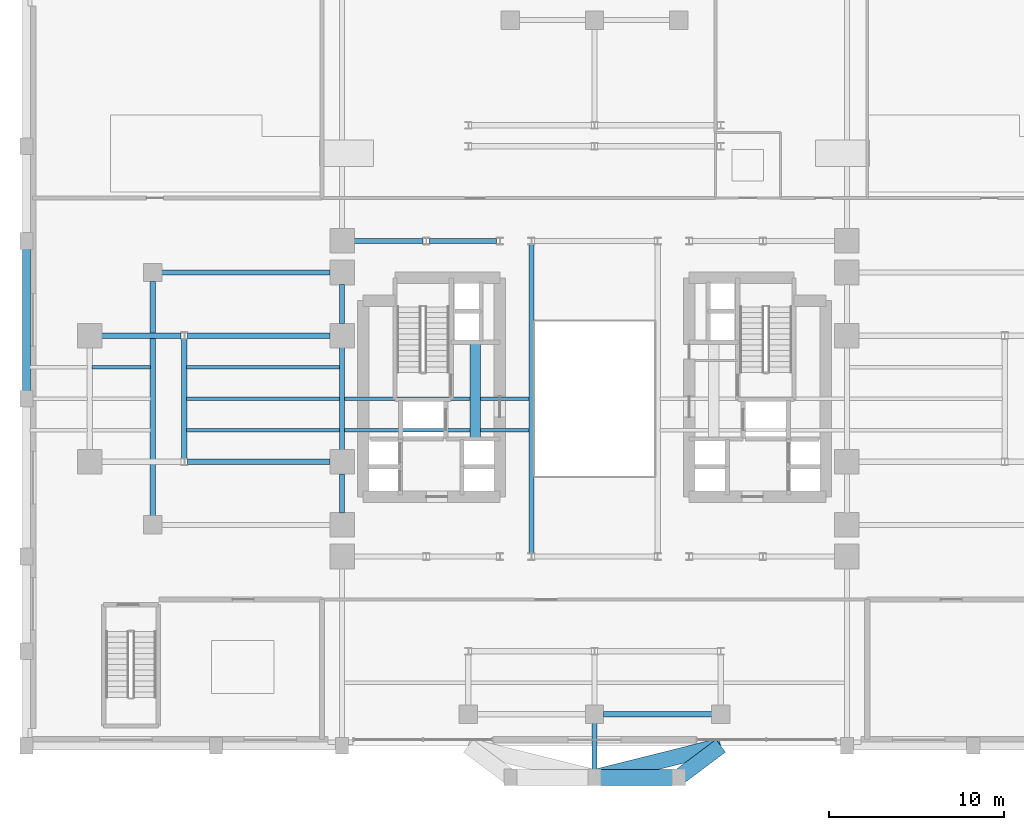
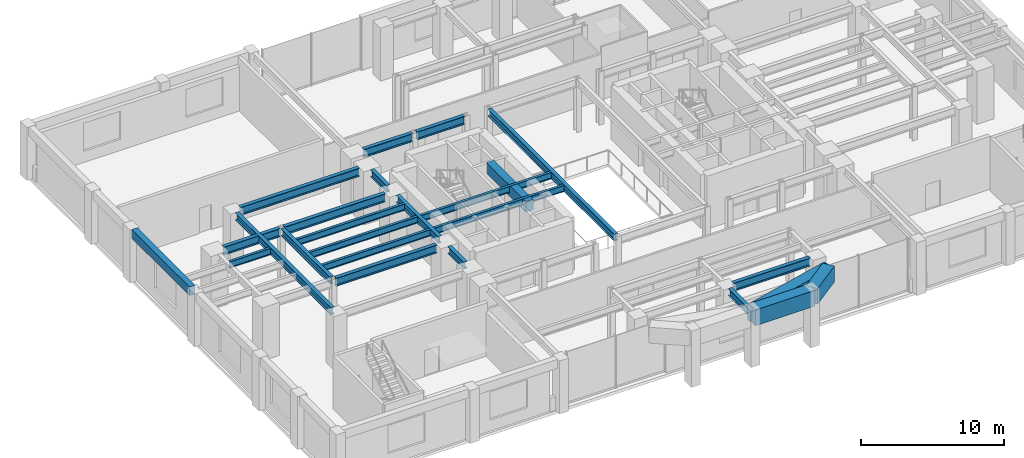
# One storey, part 5 of 14: 25 beams.
"""IFC4 building model written with IfcOpenShell, lengths in metres."""

from ifc_helpers import new_model, si_unit, direction, frame, origin, origin_2d, place, context, subcontext, project, spatial, rectangle, i_section, extrude, source, transform, mapped, material, material_profile, profile_set, type_object, element, save


model = new_model("IFC4")

# Units and contexts
model_context = context("Model", 3, precision=1e-05, world=origin(), true_north=direction((0.0, 1.0)))
body_context = subcontext(model_context, "Body", "Model", "MODEL_VIEW")
ifc_project = project(units=[si_unit("LENGTHUNIT", "METRE"), si_unit("AREAUNIT", "SQUARE_METRE"), si_unit("VOLUMEUNIT", "CUBIC_METRE"), si_unit("PLANEANGLEUNIT", "RADIAN"), si_unit("MASSUNIT", "GRAM", prefix="KILO")], contexts=[model_context])

# Site, building, storey
site_placement = place(None, origin())
site = spatial("IfcSite", under=ifc_project, at=site_placement, CompositionType="ELEMENT")
building_placement = place(site_placement, origin())
building = spatial("IfcBuilding", under=site, at=building_placement, Name="Keilestroom Media Tower", CompositionType="ELEMENT")
storey_placement = place(building_placement, frame((0.0, 0.0, 5.39990234375)))
storey = spatial("IfcBuildingStorey", under=building, at=storey_placement, Name="L01", CompositionType="ELEMENT", Elevation=5.39990234375)

# Beams
ifc_material_1 = material(Name="Concrete C55/67", Category="concrete")
ifc_material_profile_1 = material_profile(ifc_material_1, rectangle(XDim=0.89990234375, YDim=1.35009765625, at=origin_2d()), Name="RC 900x1350")
ifc_profile_set_1 = profile_set([ifc_material_profile_1], Name="Concrete C55/67")
beam_type_1 = type_object("IfcBeamType", Name="Primary-Structural-Girder-RC-900x1350", PredefinedType="BEAM", material=ifc_profile_set_1)
shared_shape_1 = source(origin(), body_context, "Body", "SweptSolid", [
    extrude(rectangle(XDim=0.89990234375, YDim=1.35009765625, at=origin_2d()), origin(), (0.0, 0.0, 1.0), 3.0),
])
beam_1_placement = place(storey_placement, frame((4.800048828125, -21.60009765625, 4.10498046875), z_axis=(0.799980468008, 0.600026041773, 0.0), x_axis=(-0.600026041773, 0.799980468008, 0.0)))
element("IfcBeam", 1, at=beam_1_placement, inside=storey, type_object=beam_type_1, Name="L01 South-Lobe Podium Tie Girder 4", PredefinedType="BEAM", context=body_context, shape_type="MappedRepresentation", body=[
    mapped(shared_shape_1, transform((0.0, 0.0, 0.0), x_axis=(1.0, 0.0, 0.0), y_axis=(0.0, 1.0, 0.0), z_axis=(0.0, 0.0, 1.0), scale=1.0)),
])
shared_shape_2 = source(origin(), body_context, "Body", "SweptSolid", [
    extrude(rectangle(XDim=0.89990234375, YDim=1.35009765625, at=origin_2d()), origin(), (0.0, 0.0, 1.0), 7.421630859375),
])
beam_2_placement = place(storey_placement, frame((0.0, -21.60009765625, 4.10498046875), z_axis=(0.970140565046, 0.242543365301, 0.0), x_axis=(-0.242543365301, 0.970140565046, 0.0)))
element("IfcBeam", 2, at=beam_2_placement, inside=storey, type_object=beam_type_1, Name="L01 South-Lobe Podium Tie Girder 3", PredefinedType="BEAM", context=body_context, shape_type="MappedRepresentation", body=[
    mapped(shared_shape_2, transform((0.0, 0.0, 0.0), x_axis=(1.0, 0.0, 0.0), y_axis=(0.0, 1.0, 0.0), z_axis=(0.0, 0.0, 1.0), scale=1.0)),
])
shared_shape_3 = source(origin(), body_context, "Body", "SweptSolid", [
    extrude(rectangle(XDim=0.89990234375, YDim=1.35009765625, at=origin_2d()), origin(), (0.0, 0.0, 1.0), 4.800048828125),
])
beam_3_placement = place(storey_placement, frame((0.0, -21.60009765625, 4.10498046875), z_axis=(1.0, 0.0, 0.0), x_axis=(0.0, 1.0, 0.0)))
element("IfcBeam", 3, at=beam_3_placement, inside=storey, type_object=beam_type_1, Name="L01 South-Lobe Transverse Tie Girder E", PredefinedType="BEAM", context=body_context, shape_type="MappedRepresentation", body=[
    mapped(shared_shape_3, transform((0.0, 0.0, 0.0), x_axis=(1.0, 0.0, 0.0), y_axis=(0.0, 1.0, 0.0), z_axis=(0.0, 0.0, 1.0), scale=1.0)),
])
ifc_material_2 = material(Name="Concrete C70/85", Category="concrete")
ifc_material_profile_2 = material_profile(ifc_material_2, rectangle(XDim=0.60009765625, YDim=0.89990234375, at=origin_2d()), Name="RC 600x900")
ifc_profile_set_2 = profile_set([ifc_material_profile_2], Name="Concrete C70/85")
beam_type_2 = type_object("IfcBeamType", Name="Core-Coupling-Lintel-Beam-RC-600x900", PredefinedType="LINTEL", material=ifc_profile_set_2)
shared_shape_4 = source(origin(), body_context, "Body", "SweptSolid", [
    extrude(rectangle(XDim=0.60009765625, YDim=0.89990234375, at=origin_2d()), origin(), (0.0, 0.0, 1.0), 5.52001953125),
])
beam_4_placement = place(storey_placement, frame((-6.800048828125, -2.300048828125, 4.070068359375), z_axis=(0.0, 1.0, 0.0), x_axis=(-1.0, 0.0, 0.0)))
element("IfcBeam", 4, at=beam_4_placement, inside=storey, type_object=beam_type_2, Name="L01 Beam CLB-1 CLB-L01-W", PredefinedType="LINTEL", context=body_context, shape_type="MappedRepresentation", body=[
    mapped(shared_shape_4, transform((0.0, 0.0, 0.0), x_axis=(1.0, 0.0, 0.0), y_axis=(0.0, 1.0, 0.0), z_axis=(0.0, 0.0, 1.0), scale=1.0)),
])
ifc_material_3 = material(Name="Precast concrete C40/50", Category="concrete")
ifc_material_profile_3 = material_profile(ifc_material_3, rectangle(XDim=0.449951171875, YDim=0.75, at=origin_2d()), Name="PC 450x750")
ifc_profile_set_3 = profile_set([ifc_material_profile_3], Name="Precast concrete C40/50")
beam_type_3 = type_object("IfcBeamType", Name="Perimeter-Spandrel-Beam-PC-450x750", PredefinedType="SPANDREL", material=ifc_profile_set_3)
shared_shape_5 = source(origin(), body_context, "Body", "SweptSolid", [
    extrude(rectangle(XDim=0.449951171875, YDim=0.75, at=origin_2d()), origin(), (0.0, 0.0, 1.0), 8.08984375),
])
beam_5_placement = place(storey_placement, frame((-32.39990234375, 0.455078125, 4.14501953125), z_axis=(0.0, 1.0, 0.0), x_axis=(-1.0, 0.0, 0.0)))
element("IfcBeam", 5, at=beam_5_placement, inside=storey, type_object=beam_type_3, Name="L01 Beam SPB-1 BM-L01-NS-048", PredefinedType="SPANDREL", context=body_context, shape_type="MappedRepresentation", body=[
    mapped(shared_shape_5, transform((0.0, 0.0, 0.0), x_axis=(1.0, 0.0, 0.0), y_axis=(0.0, 1.0, 0.0), z_axis=(0.0, 0.0, 1.0), scale=1.0)),
])
ifc_material_4 = material(Name="Steel S355", Category="steel")
ifc_material_profile_4 = material_profile(ifc_material_4, i_section(OverallWidth=0.300048828125, OverallDepth=0.60009765625, WebThickness=0.013427734375, FlangeThickness=0.030029296875, at=origin_2d()), Name="HEB 600")
ifc_profile_set_4 = profile_set([ifc_material_profile_4], Name="Steel S355")
beam_type_4 = type_object("IfcBeamType", Name="Primary-Structural-Girder-HEB-600", PredefinedType="BEAM", material=ifc_profile_set_4)
shared_shape_6 = source(origin(), body_context, "Body", "SweptSolid", [
    extrude(i_section(OverallWidth=0.300048828125, OverallDepth=0.60009765625, WebThickness=0.013427734375, FlangeThickness=0.030029296875, at=origin_2d()), origin(), (0.0, 0.0, 1.0), 5.83984375),
])
beam_6_placement = place(storey_placement, frame((-14.39990234375, -2.919921875, 4.22021484375), z_axis=(0.0, 1.0, 0.0), x_axis=(-1.0, 0.0, 0.0)))
element("IfcBeam", 6, at=beam_6_placement, inside=storey, type_object=beam_type_4, Name="L01 Beam BG-4 BM-L01-NS-057", PredefinedType="BEAM", context=body_context, shape_type="MappedRepresentation", body=[
    mapped(shared_shape_6, transform((0.0, 0.0, 0.0), x_axis=(1.0, 0.0, 0.0), y_axis=(0.0, 1.0, 0.0), z_axis=(0.0, 0.0, 1.0), scale=1.0)),
])
shared_shape_7 = source(origin(), body_context, "Body", "SweptSolid", [
    extrude(i_section(OverallWidth=0.300048828125, OverallDepth=0.60009765625, WebThickness=0.013427734375, FlangeThickness=0.030029296875, at=origin_2d()), origin(), (0.0, 0.0, 1.0), 13.39013671875),
])
beam_7_placement = place(storey_placement, frame((-25.199951171875, -6.695068359375, 4.22021484375), z_axis=(0.0, 1.0, 0.0), x_axis=(-1.0, 0.0, 0.0)))
element("IfcBeam", 7, at=beam_7_placement, inside=storey, type_object=beam_type_4, Name="L01 Beam BG-4 BM-L01-NS-052", PredefinedType="BEAM", context=body_context, shape_type="MappedRepresentation", body=[
    mapped(shared_shape_7, transform((0.0, 0.0, 0.0), x_axis=(1.0, 0.0, 0.0), y_axis=(0.0, 1.0, 0.0), z_axis=(0.0, 0.0, 1.0), scale=1.0)),
])
shared_shape_8 = source(origin(), body_context, "Body", "SweptSolid", [
    extrude(i_section(OverallWidth=0.300048828125, OverallDepth=0.60009765625, WebThickness=0.013427734375, FlangeThickness=0.030029296875, at=origin_2d()), origin(), (0.0, 0.0, 1.0), 6.82421875),
])
beam_8_placement = place(storey_placement, frame((-23.39990234375, -3.412109375, 4.22021484375), z_axis=(0.0, 1.0, 0.0), x_axis=(-1.0, 0.0, 0.0)))
element("IfcBeam", 8, at=beam_8_placement, inside=storey, type_object=beam_type_4, Name="L01 Beam BG-4 BM-L01-NS-053", PredefinedType="BEAM", context=body_context, shape_type="MappedRepresentation", body=[
    mapped(shared_shape_8, transform((0.0, 0.0, 0.0), x_axis=(1.0, 0.0, 0.0), y_axis=(0.0, 1.0, 0.0), z_axis=(0.0, 0.0, 1.0), scale=1.0)),
])
shared_shape_9 = source(origin(), body_context, "Body", "SweptSolid", [
    extrude(i_section(OverallWidth=0.300048828125, OverallDepth=0.60009765625, WebThickness=0.013427734375, FlangeThickness=0.030029296875, at=origin_2d()), origin(), (0.0, 0.0, 1.0), 2.239990234375),
])
for number, where, z_axis, x_axis, name in (
    (9, (-14.39990234375, -6.52001953125, 4.22021484375), (0.0, 1.0, 0.0), (-1.0, 0.0, 0.0), "L01 Beam BG-4 BM-L01-NS-056"),
    (10, (-14.39990234375, 4.280029296875, 4.22021484375), (0.0, 1.0, 0.0), (-1.0, 0.0, 0.0), "L01 Beam BG-4 BM-L01-NS-058"),
):
    element("IfcBeam", number, at=place(storey_placement, frame(where, z_axis=z_axis, x_axis=x_axis)), inside=storey, type_object=beam_type_4, Name=name, PredefinedType="BEAM", context=body_context, shape_type="MappedRepresentation", body=[
        mapped(shared_shape_9, transform((0.0, 0.0, 0.0), x_axis=(1.0, 0.0, 0.0), y_axis=(0.0, 1.0, 0.0), z_axis=(0.0, 0.0, 1.0), scale=1.0)),
    ])
shared_shape_10 = source(origin(), body_context, "Body", "SweptSolid", [
    extrude(i_section(OverallWidth=0.300048828125, OverallDepth=0.60009765625, WebThickness=0.013427734375, FlangeThickness=0.030029296875, at=origin_2d()), origin(), (0.0, 0.0, 1.0), 17.6240234375),
])
beam_9_placement = place(storey_placement, frame((-3.60009765625, -8.81201171875, 4.22021484375), z_axis=(0.0, 1.0, 0.0), x_axis=(-1.0, 0.0, 0.0)))
element("IfcBeam", 11, at=beam_9_placement, inside=storey, type_object=beam_type_4, Name="L01 Beam BG-4 BM-L01-NS-065", PredefinedType="BEAM", context=body_context, shape_type="MappedRepresentation", body=[
    mapped(shared_shape_10, transform((0.0, 0.0, 0.0), x_axis=(1.0, 0.0, 0.0), y_axis=(0.0, 1.0, 0.0), z_axis=(0.0, 0.0, 1.0), scale=1.0)),
])
shared_shape_11 = source(origin(), body_context, "Body", "SweptSolid", [
    extrude(i_section(OverallWidth=0.300048828125, OverallDepth=0.60009765625, WebThickness=0.013427734375, FlangeThickness=0.030029296875, at=origin_2d()), origin(), (0.0, 0.0, 1.0), 2.64013671875),
])
beam_10_placement = place(storey_placement, frame((0.0, -21.14501953125, 4.22021484375), z_axis=(0.0, 1.0, 0.0), x_axis=(-1.0, 0.0, 0.0)))
element("IfcBeam", 12, at=beam_10_placement, inside=storey, type_object=beam_type_4, Name="L01 Beam BG-4 BM-L01-NS-066", PredefinedType="BEAM", context=body_context, shape_type="MappedRepresentation", body=[
    mapped(shared_shape_11, transform((0.0, 0.0, 0.0), x_axis=(1.0, 0.0, 0.0), y_axis=(0.0, 1.0, 0.0), z_axis=(0.0, 0.0, 1.0), scale=1.0)),
])
ifc_material_5 = material(Name="Steel S460", Category="steel")
ifc_material_profile_5 = material_profile(ifc_material_5, i_section(OverallWidth=0.300048828125, OverallDepth=0.699951171875, WebThickness=0.014404296875, FlangeThickness=0.031982421875, at=origin_2d()), Name="HEB 700")
ifc_profile_set_5 = profile_set([ifc_material_profile_5], Name="Steel S460")
beam_type_5 = type_object("IfcBeamType", Name="Primary-Structural-Girder-HEB-700", PredefinedType="BEAM", material=ifc_profile_set_5)
shared_shape_12 = source(origin(), body_context, "Body", "SweptSolid", [
    extrude(i_section(OverallWidth=0.300048828125, OverallDepth=0.699951171875, WebThickness=0.014404296875, FlangeThickness=0.031982421875, at=origin_2d()), origin(), (0.0, 0.0, 1.0), 6.190185546875),
])
beam_11_placement = place(storey_placement, frame((0.5048828125, -18.0, 4.170166015625), z_axis=(1.0, 0.0, 0.0), x_axis=(0.0, 1.0, 0.0)))
element("IfcBeam", 13, at=beam_11_placement, inside=storey, type_object=beam_type_5, Name="L01 Beam BG-2 BM-L01-EW-006", PredefinedType="BEAM", context=body_context, shape_type="MappedRepresentation", body=[
    mapped(shared_shape_12, transform((0.0, 0.0, 0.0), x_axis=(1.0, 0.0, 0.0), y_axis=(0.0, 1.0, 0.0), z_axis=(0.0, 0.0, 1.0), scale=1.0)),
])
shared_shape_13 = source(origin(), body_context, "Body", "SweptSolid", [
    extrude(i_section(OverallWidth=0.300048828125, OverallDepth=0.699951171875, WebThickness=0.014404296875, FlangeThickness=0.031982421875, at=origin_2d()), origin(), (0.0, 0.0, 1.0), 3.93701171875),
])
beam_12_placement = place(storey_placement, frame((-13.719970703125, 9.0, 4.170166015625), z_axis=(1.0, 0.0, 0.0), x_axis=(0.0, 1.0, 0.0)))
element("IfcBeam", 14, at=beam_12_placement, inside=storey, type_object=beam_type_5, Name="L01 Beam BG-2 BM-L01-EW-028", PredefinedType="BEAM", context=body_context, shape_type="MappedRepresentation", body=[
    mapped(shared_shape_13, transform((0.0, 0.0, 0.0), x_axis=(1.0, 0.0, 0.0), y_axis=(0.0, 1.0, 0.0), z_axis=(0.0, 0.0, 1.0), scale=1.0)),
])
shared_shape_14 = source(origin(), body_context, "Body", "SweptSolid", [
    extrude(i_section(OverallWidth=0.300048828125, OverallDepth=0.699951171875, WebThickness=0.014404296875, FlangeThickness=0.031982421875, at=origin_2d()), origin(), (0.0, 0.0, 1.0), 3.833984375),
])
beam_13_placement = place(storey_placement, frame((-9.4169921875, 9.0, 4.170166015625), z_axis=(1.0, 0.0, 0.0), x_axis=(0.0, 1.0, 0.0)))
element("IfcBeam", 15, at=beam_13_placement, inside=storey, type_object=beam_type_5, Name="L01 Beam BG-2 BM-L01-EW-029", PredefinedType="BEAM", context=body_context, shape_type="MappedRepresentation", body=[
    mapped(shared_shape_14, transform((0.0, 0.0, 0.0), x_axis=(1.0, 0.0, 0.0), y_axis=(0.0, 1.0, 0.0), z_axis=(0.0, 0.0, 1.0), scale=1.0)),
])
shared_shape_15 = source(origin(), body_context, "Body", "SweptSolid", [
    extrude(i_section(OverallWidth=0.300048828125, OverallDepth=0.699951171875, WebThickness=0.014404296875, FlangeThickness=0.031982421875, at=origin_2d()), origin(), (0.0, 0.0, 1.0), 9.614990234375),
])
beam_14_placement = place(storey_placement, frame((-24.695068359375, 7.199951171875, 4.170166015625), z_axis=(1.0, 0.0, 0.0), x_axis=(0.0, 1.0, 0.0)))
element("IfcBeam", 16, at=beam_14_placement, inside=storey, type_object=beam_type_5, Name="L01 Beam BG-2 BM-L01-EW-026", PredefinedType="BEAM", context=body_context, shape_type="MappedRepresentation", body=[
    mapped(shared_shape_15, transform((0.0, 0.0, 0.0), x_axis=(1.0, 0.0, 0.0), y_axis=(0.0, 1.0, 0.0), z_axis=(0.0, 0.0, 1.0), scale=1.0)),
])
shared_shape_16 = source(origin(), body_context, "Body", "SweptSolid", [
    extrude(i_section(OverallWidth=0.300048828125, OverallDepth=0.699951171875, WebThickness=0.014404296875, FlangeThickness=0.031982421875, at=origin_2d()), origin(), (0.0, 0.0, 1.0), 4.537109375),
])
beam_15_placement = place(storey_placement, frame((-28.1201171875, 3.60009765625, 4.170166015625), z_axis=(1.0, 0.0, 0.0), x_axis=(0.0, 1.0, 0.0)))
element("IfcBeam", 17, at=beam_15_placement, inside=storey, type_object=beam_type_5, Name="L01 Beam BG-2 BM-L01-EW-022", PredefinedType="BEAM", context=body_context, shape_type="MappedRepresentation", body=[
    mapped(shared_shape_16, transform((0.0, 0.0, 0.0), x_axis=(1.0, 0.0, 0.0), y_axis=(0.0, 1.0, 0.0), z_axis=(0.0, 0.0, 1.0), scale=1.0)),
])
shared_shape_17 = source(origin(), body_context, "Body", "SweptSolid", [
    extrude(i_section(OverallWidth=0.300048828125, OverallDepth=0.699951171875, WebThickness=0.014404296875, FlangeThickness=0.031982421875, at=origin_2d()), origin(), (0.0, 0.0, 1.0), 8.136962890625),
])
for number, where, z_axis, x_axis, name in (
    (18, (-23.217041015625, -3.60009765625, 4.170166015625), (1.0, 0.0, 0.0), (0.0, 1.0, 0.0), "L01 Beam BG-2 BM-L01-EW-019"),
    (19, (-23.217041015625, 3.60009765625, 4.170166015625), (1.0, 0.0, 0.0), (0.0, 1.0, 0.0), "L01 Beam BG-2 BM-L01-EW-023"),
):
    element("IfcBeam", number, at=place(storey_placement, frame(where, z_axis=z_axis, x_axis=x_axis)), inside=storey, type_object=beam_type_5, Name=name, PredefinedType="BEAM", context=body_context, shape_type="MappedRepresentation", body=[
        mapped(shared_shape_17, transform((0.0, 0.0, 0.0), x_axis=(1.0, 0.0, 0.0), y_axis=(0.0, 1.0, 0.0), z_axis=(0.0, 0.0, 1.0), scale=1.0)),
    ])
ifc_material_profile_6 = material_profile(ifc_material_4, i_section(OverallWidth=0.2099609375, OverallDepth=0.550048828125, WebThickness=0.010986328125, FlangeThickness=0.01708984375, at=origin_2d()), Name="IPE 550")
ifc_profile_set_6 = profile_set([ifc_material_profile_6], Name="Steel S355")
beam_type_6 = type_object("IfcBeamType", Name="Secondary-Floor-Joist-IPE-550", PredefinedType="JOIST", material=ifc_profile_set_6)
shared_shape_18 = source(origin(), body_context, "Body", "SweptSolid", [
    extrude(i_section(OverallWidth=0.2099609375, OverallDepth=0.550048828125, WebThickness=0.010986328125, FlangeThickness=0.01708984375, at=origin_2d()), origin(), (0.0, 0.0, 1.0), 3.33984375),
])
beam_16_placement = place(storey_placement, frame((-28.669921875, 1.800048828125, 4.2451171875), z_axis=(1.0, 0.0, 0.0), x_axis=(0.0, 1.0, 0.0)))
element("IfcBeam", 20, at=beam_16_placement, inside=storey, type_object=beam_type_6, Name="L01 Beam BJ-1 JST-L01-114", PredefinedType="JOIST", context=body_context, shape_type="MappedRepresentation", body=[
    mapped(shared_shape_18, transform((0.0, 0.0, 0.0), x_axis=(1.0, 0.0, 0.0), y_axis=(0.0, 1.0, 0.0), z_axis=(0.0, 0.0, 1.0), scale=1.0)),
])
shared_shape_19 = source(origin(), body_context, "Body", "SweptSolid", [
    extrude(i_section(OverallWidth=0.2099609375, OverallDepth=0.550048828125, WebThickness=0.010986328125, FlangeThickness=0.01708984375, at=origin_2d()), origin(), (0.0, 0.0, 1.0), 8.739990234375),
])
for number, where, z_axis, x_axis, name in (
    (21, (-23.27001953125, -1.800048828125, 4.2451171875), (1.0, 0.0, 0.0), (0.0, 1.0, 0.0), "L01 Beam BJ-1 JST-L01-097"),
    (22, (-23.27001953125, 0.0, 4.2451171875), (1.0, 0.0, 0.0), (0.0, 1.0, 0.0), "L01 Beam BJ-1 JST-L01-106"),
    (23, (-23.27001953125, 1.800048828125, 4.2451171875), (1.0, 0.0, 0.0), (0.0, 1.0, 0.0), "L01 Beam BJ-1 JST-L01-115"),
):
    element("IfcBeam", number, at=place(storey_placement, frame(where, z_axis=z_axis, x_axis=x_axis)), inside=storey, type_object=beam_type_6, Name=name, PredefinedType="JOIST", context=body_context, shape_type="MappedRepresentation", body=[
        mapped(shared_shape_19, transform((0.0, 0.0, 0.0), x_axis=(1.0, 0.0, 0.0), y_axis=(0.0, 1.0, 0.0), z_axis=(0.0, 0.0, 1.0), scale=1.0)),
    ])
shared_shape_20 = source(origin(), body_context, "Body", "SweptSolid", [
    extrude(i_section(OverallWidth=0.2099609375, OverallDepth=0.550048828125, WebThickness=0.010986328125, FlangeThickness=0.01708984375, at=origin_2d()), origin(), (0.0, 0.0, 1.0), 10.5400390625),
])
for number, where, z_axis, x_axis, name in (
    (24, (-14.27001953125, -1.800048828125, 4.2451171875), (1.0, 0.0, 0.0), (0.0, 1.0, 0.0), "L01 Beam BJ-1 JST-L01-098"),
    (25, (-14.27001953125, 0.0, 4.2451171875), (1.0, 0.0, 0.0), (0.0, 1.0, 0.0), "L01 Beam BJ-1 JST-L01-107"),
):
    element("IfcBeam", number, at=place(storey_placement, frame(where, z_axis=z_axis, x_axis=x_axis)), inside=storey, type_object=beam_type_6, Name=name, PredefinedType="JOIST", context=body_context, shape_type="MappedRepresentation", body=[
        mapped(shared_shape_20, transform((0.0, 0.0, 0.0), x_axis=(1.0, 0.0, 0.0), y_axis=(0.0, 1.0, 0.0), z_axis=(0.0, 0.0, 1.0), scale=1.0)),
    ])

save(model, "model.ifc")
